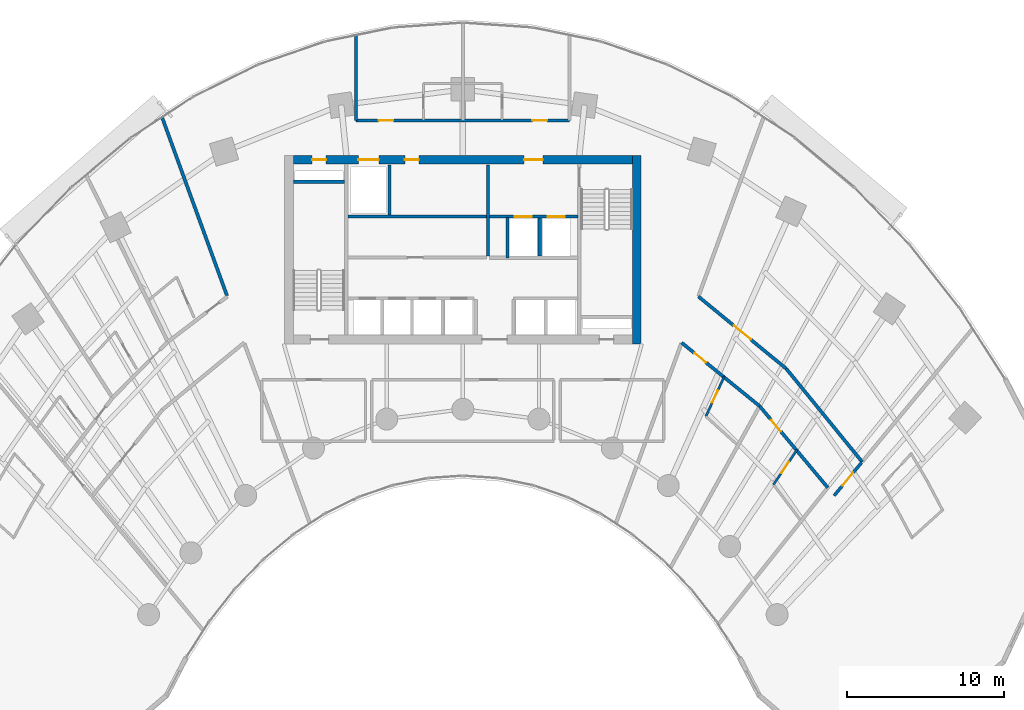
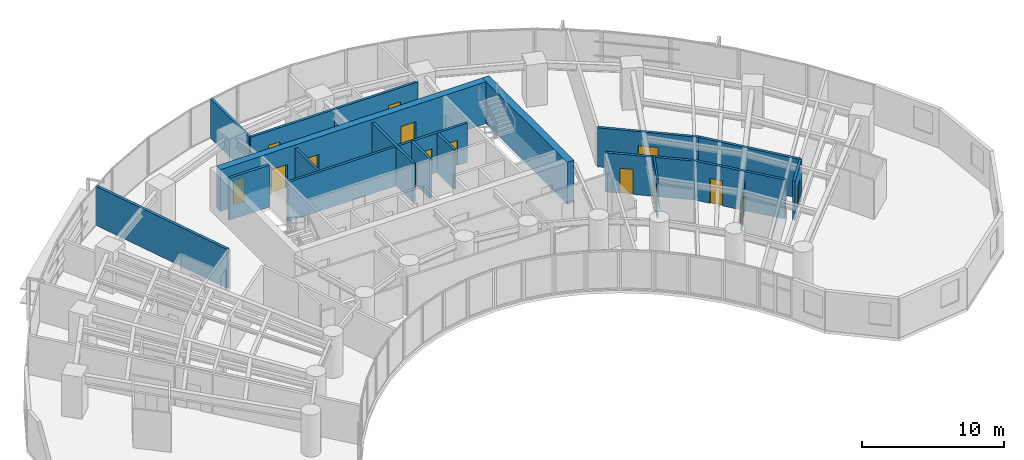
# One storey, part 13 of 17: 20 walls, 14 doors, 14 openings.
"""IFC4 building model written with IfcOpenShell, lengths in metres."""

from ifc_helpers import new_model, si_unit, direction, frame, frame_2d, origin, place, context, subcontext, project, spatial, rectangle, extrude, source, transform, mapped, material, layer, layer_set, type_object, type_shapes, element, fill, save


model = new_model("IFC4")

# Units and contexts
model_context = context("Model", 3, precision=1e-05, world=origin(), true_north=direction((0.0, 1.0)))
body_context = subcontext(model_context, "Body", "Model", "MODEL_VIEW")
ifc_project = project(units=[si_unit("LENGTHUNIT", "METRE"), si_unit("AREAUNIT", "SQUARE_METRE"), si_unit("VOLUMEUNIT", "CUBIC_METRE"), si_unit("PLANEANGLEUNIT", "RADIAN"), si_unit("MASSUNIT", "GRAM", prefix="KILO")], contexts=[model_context])

# Site, building, storey
site_placement = place(None, origin())
site = spatial("IfcSite", under=ifc_project, at=site_placement, CompositionType="ELEMENT")
building_placement = place(site_placement, origin())
building = spatial("IfcBuilding", under=site, at=building_placement, Name="Breltana Convention Tower", CompositionType="ELEMENT")
storey_placement = place(building_placement, frame((0.0, 0.0, 67.800048828125)))
storey = spatial("IfcBuildingStorey", under=building, at=storey_placement, Name="L15", CompositionType="ELEMENT", Elevation=67.800048828125)

# Wall
ifc_material_1 = material(Name="Concrete C60/75", Category="concrete")
ifc_layer_1 = layer(ifc_material_1, 0.550048828125, Name="Concrete C60/75")
ifc_layer_set_1 = layer_set([ifc_layer_1], Name="Concrete C60/75")
wall_type_1 = type_object("IfcWallType", Name="SW-CORE-550", PredefinedType="SHEAR", material=ifc_layer_set_1)
shared_shape_1 = source(origin(), body_context, "Body", "SweptSolid", [
    extrude(rectangle(XDim=12.0, YDim=0.550048828125, at=frame_2d((6.0, 0.0))), origin(), (0.0, 0.0, 1.0), 3.599853515625),
])
wall_1_placement = place(storey_placement, frame((59.074951171875, 60.199951171875, 0.0), z_axis=(0.0, 0.0, 1.0), x_axis=(0.0, 1.0, 0.0)))
element("IfcWall", 1, at=wall_1_placement, inside=storey, type_object=wall_type_1, Name="L15 East Core Shear Wall", PredefinedType="SHEAR", context=body_context, shape_type="MappedRepresentation", body=[
    mapped(shared_shape_1, transform((0.0, 0.0, 0.0), scale=1.0)),
])

# Wall, openings, doors
shared_shape_2 = source(origin(), body_context, "Body", "SweptSolid", [
    extrude(rectangle(XDim=21.60009765625, YDim=0.550048828125, at=frame_2d((10.800048828125, 0.0))), origin(), (0.0, 0.0, 1.0), 3.599853515625),
])
wall_2_placement = place(storey_placement, frame((37.199951171875, 71.925048828125, 0.0), z_axis=(0.0, 0.0, 1.0), x_axis=(1.0, 0.0, 0.0)))
wall_2 = element("IfcWall", 2, at=wall_2_placement, inside=storey, type_object=wall_type_1, Name="L15 North Core Shear Wall", PredefinedType="SHEAR", context=body_context, shape_type="MappedRepresentation", body=[
    mapped(shared_shape_2, transform((0.0, 0.0, 0.0), scale=1.0)),
])
opening_1_placement = place(wall_2_placement, frame((1.199951171875, 0.0, 0.0)))
opening_1 = element("IfcOpeningElement", 3, at=opening_1_placement, cuts=wall_2, Name="Opening D-18", PredefinedType="OPENING", context=body_context, shape_type="SweptSolid", body=[
    extrude(rectangle(XDim=0.89990234375, YDim=2.10009765625, at=frame_2d((0.449951171875, 1.050048828125))), frame((0.0, 0.28515625, 0.0), z_axis=(0.0, -1.0, 0.0), x_axis=(1.0, 0.0, 0.0)), (0.0, 0.0, 1.0), 0.570068359375),
])
opening_2_placement = place(wall_2_placement, frame((14.699951171875, 0.0, 0.0)))
opening_2 = element("IfcOpeningElement", 4, at=opening_2_placement, cuts=wall_2, Name="Opening D-09", PredefinedType="OPENING", context=body_context, shape_type="SweptSolid", body=[
    extrude(rectangle(XDim=1.199951171875, YDim=2.14990234375, at=frame_2d((0.60009765625, 1.074951171875))), frame((0.0, 0.28515625, 0.0), z_axis=(0.0, -1.0, 0.0), x_axis=(1.0, 0.0, 0.0)), (0.0, 0.0, 1.0), 0.570068359375),
])
opening_3_placement = place(wall_2_placement, frame((4.14990234375, 0.0, 0.0)))
opening_3 = element("IfcOpeningElement", 5, at=opening_3_placement, cuts=wall_2, Name="Opening LD-01", PredefinedType="OPENING", context=body_context, shape_type="SweptSolid", body=[
    extrude(rectangle(XDim=1.300048828125, YDim=2.14990234375, at=frame_2d((0.64990234375, 1.074951171875))), frame((0.0, 0.28515625, 0.0), z_axis=(0.0, -1.0, 0.0), x_axis=(1.0, 0.0, 0.0)), (0.0, 0.0, 1.0), 0.570068359375),
])
opening_4_placement = place(wall_2_placement, frame((7.10009765625, 0.0, 0.0)))
opening_4 = element("IfcOpeningElement", 6, at=opening_4_placement, cuts=wall_2, Name="Opening D-18", PredefinedType="OPENING", context=body_context, shape_type="SweptSolid", body=[
    extrude(rectangle(XDim=0.89990234375, YDim=2.10009765625, at=frame_2d((0.449951171875, 1.050048828125))), frame((0.0, 0.28515625, 0.0), z_axis=(0.0, -1.0, 0.0), x_axis=(1.0, 0.0, 0.0)), (0.0, 0.0, 1.0), 0.570068359375),
])
ifc_material_2 = material(Name="Steel Riser Fire Door", Category="steel")
door_type_1 = type_object("IfcDoorType", Name="DR-FD60-900", OperationType="NOTDEFINED", PredefinedType="DOOR", material=ifc_material_2)
shared_shape_3 = source(origin(), body_context, "Body", "SweptSolid", [
    extrude(rectangle(XDim=0.89990234375, YDim=2.10009765625, at=frame_2d((0.449951171875, 1.050048828125))), frame((0.0, 0.02490234375, 0.0), z_axis=(0.0, -1.0, 0.0), x_axis=(1.0, 0.0, 0.0)), (0.0, 0.0, 1.0), 0.050048828125),
])
type_shapes(door_type_1, [shared_shape_3])
door_1_placement = place(opening_1_placement, origin())
door_1 = element("IfcDoor", 7, at=door_1_placement, inside=storey, type_object=door_type_1, Name="L15 Core Riser Access Door D-L15-RS1", OperationType="SINGLE_SWING_LEFT", OverallHeight=2.10009765625, OverallWidth=0.89990234375, PredefinedType="DOOR", context=body_context, shape_type="MappedRepresentation", body=[
    mapped(shared_shape_3, transform((0.0, 0.0, 0.0), scale=1.0)),
])
fill(opening_1, door_1)
door_2_placement = place(opening_4_placement, origin())
door_2 = element("IfcDoor", 8, at=door_2_placement, inside=storey, type_object=door_type_1, Name="L15 interior door D-L15-CRA1", OperationType="SINGLE_SWING_LEFT", OverallHeight=2.10009765625, OverallWidth=0.89990234375, PredefinedType="DOOR", context=body_context, shape_type="MappedRepresentation", body=[
    mapped(shared_shape_3, transform((0.0, 0.0, 0.0), scale=1.0)),
])
fill(opening_4, door_2)
ifc_material_3 = material(Name="Steel Fire Lobby Door", Category="steel")
door_type_2 = type_object("IfcDoorType", Name="DR-FD120-1200", OperationType="NOTDEFINED", PredefinedType="DOOR", material=ifc_material_3)
shared_shape_4 = source(origin(), body_context, "Body", "SweptSolid", [
    extrude(rectangle(XDim=1.199951171875, YDim=2.14990234375, at=frame_2d((0.60009765625, 1.074951171875))), frame((0.0, 0.02490234375, 0.0), z_axis=(0.0, -1.0, 0.0), x_axis=(1.0, 0.0, 0.0)), (0.0, 0.0, 1.0), 0.050048828125),
])
type_shapes(door_type_2, [shared_shape_4])
door_3_placement = place(opening_2_placement, origin())
door_3 = element("IfcDoor", 9, at=door_3_placement, inside=storey, type_object=door_type_2, Name="L15 interior door D-L15-FFL-N", OperationType="SINGLE_SWING_RIGHT", OverallHeight=2.14990234375, OverallWidth=1.199951171875, PredefinedType="DOOR", context=body_context, shape_type="MappedRepresentation", body=[
    mapped(shared_shape_4, transform((0.0, 0.0, 0.0), scale=1.0)),
])
fill(opening_2, door_3)
ifc_material_4 = material(Name="Stainless Steel Brushed", Category="steel")
door_type_3 = type_object("IfcDoorType", Name="DR-LD-SRV-1300", OperationType="DOUBLE_DOOR_SLIDING", PredefinedType="DOOR", material=ifc_material_4)
shared_shape_5 = source(origin(), body_context, "Body", "SweptSolid", [
    extrude(rectangle(XDim=1.300048828125, YDim=2.14990234375, at=frame_2d((0.64990234375, 1.074951171875))), frame((0.0, 0.02490234375, 0.0), z_axis=(0.0, -1.0, 0.0), x_axis=(1.0, 0.0, 0.0)), (0.0, 0.0, 1.0), 0.050048828125),
])
type_shapes(door_type_3, [shared_shape_5])
door_4_placement = place(opening_3_placement, origin())
door_4 = element("IfcDoor", 10, at=door_4_placement, inside=storey, type_object=door_type_3, Name="L15 Lift Landing Door D-L15-LD-SV1", OperationType="DOUBLE_DOOR_SLIDING", OverallHeight=2.14990234375, OverallWidth=1.300048828125, PredefinedType="DOOR", context=body_context, shape_type="MappedRepresentation", body=[
    mapped(shared_shape_5, transform((0.0, 0.0, 0.0), scale=1.0)),
])
fill(opening_3, door_4)

# Wall
ifc_material_5 = material(Name="Concrete C50/60", Category="concrete")
ifc_layer_2 = layer(ifc_material_5, 0.39990234375, Name="Concrete C50/60")
ifc_layer_set_2 = layer_set([ifc_layer_2], Name="Concrete C50/60")
wall_type_2 = type_object("IfcWallType", Name="SW-CORE-400", PredefinedType="SHEAR", material=ifc_layer_set_2)
shared_shape_6 = source(origin(), body_context, "Body", "SweptSolid", [
    extrude(rectangle(XDim=3.27001953125, YDim=0.219970703125, at=frame_2d((1.635009765625, 0.0))), origin(), (0.0, 0.0, 1.0), 3.599853515625),
])
wall_3_placement = place(storey_placement, frame((37.199951171875, 70.510009765625, 0.0), z_axis=(0.0, 0.0, 1.0), x_axis=(1.0, 0.0, 0.0)))
element("IfcWall", 11, at=wall_3_placement, inside=storey, type_object=wall_type_2, Name="L15 ST-1 Stairwell North Bearing Wall", PredefinedType="SHEAR", context=body_context, shape_type="MappedRepresentation", body=[
    mapped(shared_shape_6, transform((0.0, 0.0, 0.0), scale=1.0)),
])

# Wall, openings, doors
ifc_material_6 = material(Name="Autoclaved Aerated Concrete Block", Category="concrete")
ifc_layer_3 = layer(ifc_material_6, 0.199951171875, Name="Autoclaved Aerated Concrete Block")
ifc_layer_set_3 = layer_set([ifc_layer_3], Name="Autoclaved Aerated Concrete Block")
wall_type_3 = type_object("IfcWallType", Name="WL-SHAFT-200", PredefinedType="SOLIDWALL", material=ifc_layer_set_3)
shared_shape_7 = source(origin(), body_context, "Body", "SweptSolid", [
    extrude(rectangle(XDim=5.6201171875, YDim=0.199951171875, at=frame_2d((2.81005859375, 0.0))), origin(), (0.0, 0.0, 1.0), 3.35986328125),
])
wall_4_placement = place(storey_placement, frame((49.699951171875, 68.300048828125, 0.0), z_axis=(0.0, 0.0, 1.0), x_axis=(1.0, 0.0, 0.0)))
wall_4 = element("IfcWall", 12, at=wall_4_placement, inside=storey, type_object=wall_type_3, Name="L15 interior partition W-L15-FFL-S", PredefinedType="SOLIDWALL", context=body_context, shape_type="MappedRepresentation", body=[
    mapped(shared_shape_7, transform((0.0, 0.0, 0.0), scale=1.0)),
])
opening_5_placement = place(wall_4_placement, frame((1.60009765625, 0.0, 0.0)))
opening_5 = element("IfcOpeningElement", 13, at=opening_5_placement, cuts=wall_4, Name="Opening LD-03", PredefinedType="OPENING", context=body_context, shape_type="SweptSolid", body=[
    extrude(rectangle(XDim=1.10009765625, YDim=2.14990234375, at=frame_2d((0.550048828125, 1.074951171875))), frame((0.0, 0.10986328125, 0.0), z_axis=(0.0, -1.0, 0.0), x_axis=(1.0, 0.0, 0.0)), (0.0, 0.0, 1.0), 0.219970703125),
])
opening_6_placement = place(wall_4_placement, frame((3.699951171875, 0.0, 0.0)))
opening_6 = element("IfcOpeningElement", 14, at=opening_6_placement, cuts=wall_4, Name="Opening LD-03", PredefinedType="OPENING", context=body_context, shape_type="SweptSolid", body=[
    extrude(rectangle(XDim=1.10009765625, YDim=2.14990234375, at=frame_2d((0.550048828125, 1.074951171875))), frame((0.0, 0.10986328125, 0.0), z_axis=(0.0, -1.0, 0.0), x_axis=(1.0, 0.0, 0.0)), (0.0, 0.0, 1.0), 0.219970703125),
])
door_type_4 = type_object("IfcDoorType", Name="DR-LD-FF-1100", OperationType="DOUBLE_DOOR_SLIDING", PredefinedType="DOOR", material=ifc_material_4)
shared_shape_8 = source(origin(), body_context, "Body", "SweptSolid", [
    extrude(rectangle(XDim=1.10009765625, YDim=2.14990234375, at=frame_2d((0.550048828125, 1.074951171875))), frame((0.0, 0.02490234375, 0.0), z_axis=(0.0, -1.0, 0.0), x_axis=(1.0, 0.0, 0.0)), (0.0, 0.0, 1.0), 0.050048828125),
])
type_shapes(door_type_4, [shared_shape_8])
door_5_placement = place(opening_5_placement, origin())
door_5 = element("IfcDoor", 15, at=door_5_placement, inside=storey, type_object=door_type_4, Name="L15 Lift Landing Door D-L15-LD-FL1", OperationType="DOUBLE_DOOR_SLIDING", OverallHeight=2.14990234375, OverallWidth=1.10009765625, PredefinedType="DOOR", context=body_context, shape_type="MappedRepresentation", body=[
    mapped(shared_shape_8, transform((0.0, 0.0, 0.0), scale=1.0)),
])
fill(opening_5, door_5)
door_6_placement = place(opening_6_placement, origin())
door_6 = element("IfcDoor", 16, at=door_6_placement, inside=storey, type_object=door_type_4, Name="L15 Lift Landing Door D-L15-LD-FL2", OperationType="DOUBLE_DOOR_SLIDING", OverallHeight=2.14990234375, OverallWidth=1.10009765625, PredefinedType="DOOR", context=body_context, shape_type="MappedRepresentation", body=[
    mapped(shared_shape_8, transform((0.0, 0.0, 0.0), scale=1.0)),
])
fill(opening_6, door_6)

# Walls
shared_shape_9 = source(origin(), body_context, "Body", "SweptSolid", [
    extrude(rectangle(XDim=5.800048828125, YDim=0.199951171875, at=frame_2d((2.89990234375, 0.0))), origin(), (0.0, 0.0, 1.0), 3.35986328125),
])
wall_5_placement = place(storey_placement, frame((49.60009765625, 65.800048828125, 0.0), z_axis=(0.0, 0.0, 1.0), x_axis=(0.0, 1.0, 0.0)))
element("IfcWall", 17, at=wall_5_placement, inside=storey, type_object=wall_type_3, Name="L15 interior partition W-L15-FFL-W", PredefinedType="SOLIDWALL", context=body_context, shape_type="MappedRepresentation", body=[
    mapped(shared_shape_9, transform((0.0, 0.0, 0.0), scale=1.0)),
])
shared_shape_10 = source(origin(), body_context, "Body", "SweptSolid", [
    extrude(rectangle(XDim=2.580078125, YDim=0.199951171875, at=frame_2d((1.2900390625, 0.0))), origin(), (0.0, 0.0, 1.0), 3.35986328125),
])
wall_6_placement = place(storey_placement, frame((50.85009765625, 65.679931640625, 0.0), z_axis=(0.0, 0.0, 1.0), x_axis=(0.0, 1.0, 0.0)))
element("IfcWall", 18, at=wall_6_placement, inside=storey, type_object=wall_type_3, Name="L15 interior partition W-L15-FL-W", PredefinedType="SOLIDWALL", context=body_context, shape_type="MappedRepresentation", body=[
    mapped(shared_shape_10, transform((0.0, 0.0, 0.0), scale=1.0)),
])
shared_shape_11 = source(origin(), body_context, "Body", "SweptSolid", [
    extrude(rectangle(XDim=2.39990234375, YDim=0.199951171875, at=frame_2d((1.199951171875, 0.0))), origin(), (0.0, 0.0, 1.0), 3.35986328125),
])
wall_7_placement = place(storey_placement, frame((52.89990234375, 65.800048828125, 0.0), z_axis=(0.0, 0.0, 1.0), x_axis=(0.0, 1.0, 0.0)))
element("IfcWall", 19, at=wall_7_placement, inside=storey, type_object=wall_type_3, Name="L15 interior partition W-L15-FL-DIV", PredefinedType="SOLIDWALL", context=body_context, shape_type="MappedRepresentation", body=[
    mapped(shared_shape_11, transform((0.0, 0.0, 0.0), scale=1.0)),
])
shared_shape_12 = source(origin(), body_context, "Body", "SweptSolid", [
    extrude(rectangle(XDim=3.2001953125, YDim=0.199951171875, at=frame_2d((1.60009765625, 0.0))), origin(), (0.0, 0.0, 1.0), 3.35986328125),
])
wall_8_placement = place(storey_placement, frame((43.320068359375, 68.39990234375, 0.0), z_axis=(0.0, 0.0, 1.0), x_axis=(0.0, 1.0, 0.0)))
element("IfcWall", 20, at=wall_8_placement, inside=storey, type_object=wall_type_3, Name="L15 interior partition W-L15-SV-E", PredefinedType="SOLIDWALL", context=body_context, shape_type="MappedRepresentation", body=[
    mapped(shared_shape_12, transform((0.0, 0.0, 0.0), scale=1.0)),
])
shared_shape_13 = source(origin(), body_context, "Body", "SweptSolid", [
    extrude(rectangle(XDim=8.800048828125, YDim=0.199951171875, at=frame_2d((4.39990234375, 0.0))), origin(), (0.0, 0.0, 1.0), 3.35986328125),
])
wall_9_placement = place(storey_placement, frame((40.699951171875, 68.300048828125, 0.0), z_axis=(0.0, 0.0, 1.0), x_axis=(1.0, 0.0, 0.0)))
element("IfcWall", 21, at=wall_9_placement, inside=storey, type_object=wall_type_3, Name="L15 interior partition W-L15-SV-S", PredefinedType="SOLIDWALL", context=body_context, shape_type="MappedRepresentation", body=[
    mapped(shared_shape_13, transform((0.0, 0.0, 0.0), scale=1.0)),
])

# Wall, opening, door
ifc_material_7 = material(Name="Gypsum Acoustic Hotel Wall")
ifc_layer_4 = layer(ifc_material_7, 0.195068359375, Name="Gypsum Acoustic Hotel Wall")
ifc_layer_set_4 = layer_set([ifc_layer_4], Name="Gypsum Acoustic Hotel Wall")
wall_type_4 = type_object("IfcWallType", Name="WL-HOTEL-200", PredefinedType="PARTITIONING", material=ifc_layer_set_4)
shared_shape_14 = source(origin(), body_context, "Body", "SweptSolid", [
    extrude(rectangle(XDim=6.800048828125, YDim=0.195068359375, at=frame_2d((3.39990234375, 0.0))), origin(), (0.0, 0.0, 1.0), 3.35986328125),
])
wall_10_placement = place(storey_placement, frame((41.199951171875, 74.419921875, 0.0), z_axis=(0.0, 0.0, 1.0), x_axis=(1.0, 0.0, 0.0)))
wall_10 = element("IfcWall", 22, at=wall_10_placement, inside=storey, type_object=wall_type_4, Name="L15 interior partition W-L15-GRN1-S", PredefinedType="PARTITIONING", context=body_context, shape_type="MappedRepresentation", body=[
    mapped(shared_shape_14, transform((0.0, 0.0, 0.0), scale=1.0)),
])
opening_7_placement = place(wall_10_placement, frame((1.428955078125, 0.0, 0.0)))
opening_7 = element("IfcOpeningElement", 23, at=opening_7_placement, cuts=wall_10, Name="Opening D-14", PredefinedType="OPENING", context=body_context, shape_type="SweptSolid", body=[
    extrude(rectangle(XDim=0.949951171875, YDim=2.14990234375, at=frame_2d((0.47509765625, 1.074951171875))), frame((0.0, 0.107421875, 0.0), z_axis=(0.0, -1.0, 0.0), x_axis=(1.0, 0.0, 0.0)), (0.0, 0.0, 1.0), 0.215087890625),
])
ifc_material_8 = material(Name="Timber Solid-Core Fire Door", Category="wood")
door_type_5 = type_object("IfcDoorType", Name="DR-FD60-950", OperationType="NOTDEFINED", PredefinedType="DOOR", material=ifc_material_8)
shared_shape_15 = source(origin(), body_context, "Body", "SweptSolid", [
    extrude(rectangle(XDim=0.949951171875, YDim=2.14990234375, at=frame_2d((0.47509765625, 1.074951171875))), frame((0.0, 0.02490234375, 0.0), z_axis=(0.0, -1.0, 0.0), x_axis=(1.0, 0.0, 0.0)), (0.0, 0.0, 1.0), 0.050048828125),
])
type_shapes(door_type_5, [shared_shape_15])
door_7_placement = place(opening_7_placement, origin())
door_7 = element("IfcDoor", 24, at=door_7_placement, inside=storey, type_object=door_type_5, Name="L15 interior door D-L15-GRN1", OperationType="SINGLE_SWING_RIGHT", OverallHeight=2.14990234375, OverallWidth=0.949951171875, PredefinedType="DOOR", context=body_context, shape_type="MappedRepresentation", body=[
    mapped(shared_shape_15, transform((0.0, 0.0, 0.0), scale=1.0)),
])
fill(opening_7, door_7)

wall_11_placement = place(storey_placement, frame((48.0, 74.419921875, 0.0), z_axis=(0.0, 0.0, 1.0), x_axis=(1.0, 0.0, 0.0)))
wall_11 = element("IfcWall", 25, at=wall_11_placement, inside=storey, type_object=wall_type_4, Name="L15 interior partition W-L15-GRN2-S", PredefinedType="PARTITIONING", context=body_context, shape_type="MappedRepresentation", body=[
    mapped(shared_shape_14, transform((0.0, 0.0, 0.0), scale=1.0)),
])
opening_8_placement = place(wall_11_placement, frame((4.4208984375, 0.0, 0.0)))
opening_8 = element("IfcOpeningElement", 26, at=opening_8_placement, cuts=wall_11, Name="Opening D-14", PredefinedType="OPENING", context=body_context, shape_type="SweptSolid", body=[
    extrude(rectangle(XDim=0.949951171875, YDim=2.14990234375, at=frame_2d((0.47509765625, 1.074951171875))), frame((0.0, 0.107421875, 0.0), z_axis=(0.0, -1.0, 0.0), x_axis=(1.0, 0.0, 0.0)), (0.0, 0.0, 1.0), 0.215087890625),
])
door_8_placement = place(opening_8_placement, origin())
door_8 = element("IfcDoor", 27, at=door_8_placement, inside=storey, type_object=door_type_5, Name="L15 interior door D-L15-GRN2", OperationType="SINGLE_SWING_RIGHT", OverallHeight=2.14990234375, OverallWidth=0.949951171875, PredefinedType="DOOR", context=body_context, shape_type="MappedRepresentation", body=[
    mapped(shared_shape_15, transform((0.0, 0.0, 0.0), scale=1.0)),
])
fill(opening_8, door_8)

# Wall
shared_shape_16 = source(origin(), body_context, "Body", "SweptSolid", [
    extrude(rectangle(XDim=5.42626953125, YDim=0.195068359375, at=frame_2d((2.713134765625, 0.0))), origin(), (0.0, 0.0, 1.0), 3.35986328125),
])
wall_12_placement = place(storey_placement, frame((41.199951171875, 74.419921875, 0.0), z_axis=(0.0, 0.0, 1.0), x_axis=(0.0, 1.0, 0.0)))
element("IfcWall", 28, at=wall_12_placement, inside=storey, type_object=wall_type_4, Name="L15 interior partition W-L15-GRN1-SD", PredefinedType="PARTITIONING", context=body_context, shape_type="MappedRepresentation", body=[
    mapped(shared_shape_16, transform((0.0, 0.0, 0.0), scale=1.0)),
])

# Wall, opening, door
shared_shape_17 = source(origin(), body_context, "Body", "SweptSolid", [
    extrude(rectangle(XDim=2.748291015625, YDim=0.195068359375, at=frame_2d((1.3740234375, 0.0))), origin(), (0.0, 0.0, 1.0), 3.35986328125),
])
wall_13_placement = place(storey_placement, frame((71.64697265625, 50.531005859375, 0.0), z_axis=(0.0, 0.0, 1.0), x_axis=(0.638111168284, 0.769944242729, 0.0)))
wall_13 = element("IfcWall", 29, at=wall_13_placement, inside=storey, type_object=wall_type_4, Name="L15 interior partition W-L15-CS-E-END", PredefinedType="PARTITIONING", context=body_context, shape_type="MappedRepresentation", body=[
    mapped(shared_shape_17, transform((0.0, 0.0, 0.0), scale=1.0)),
])
opening_9_placement = place(wall_13_placement, frame((0.84912109375, 0.0, 0.0)))
opening_9 = element("IfcOpeningElement", 30, at=opening_9_placement, cuts=wall_13, Name="Opening D-13", PredefinedType="OPENING", context=body_context, shape_type="SweptSolid", body=[
    extrude(rectangle(XDim=1.050048828125, YDim=2.14990234375, at=frame_2d((0.52490234375, 1.074951171875))), frame((0.0, 0.107421875, 0.0), z_axis=(0.0, -1.0, 0.0), x_axis=(1.0, 0.0, 0.0)), (0.0, 0.0, 1.0), 0.215087890625),
])
door_type_6 = type_object("IfcDoorType", Name="DR-FD60-1050", OperationType="NOTDEFINED", PredefinedType="DOOR", material=ifc_material_8)
shared_shape_18 = source(origin(), body_context, "Body", "SweptSolid", [
    extrude(rectangle(XDim=1.050048828125, YDim=2.14990234375, at=frame_2d((0.52490234375, 1.074951171875))), frame((0.0, 0.02490234375, 0.0), z_axis=(0.0, -1.0, 0.0), x_axis=(1.0, 0.0, 0.0)), (0.0, 0.0, 1.0), 0.050048828125),
])
type_shapes(door_type_6, [shared_shape_18])
door_9_placement = place(opening_9_placement, origin())
door_9 = element("IfcDoor", 31, at=door_9_placement, inside=storey, type_object=door_type_6, Name="L15 interior door D-L15-CS-E", OperationType="SINGLE_SWING_RIGHT", OverallHeight=2.14990234375, OverallWidth=1.050048828125, PredefinedType="DOOR", context=body_context, shape_type="MappedRepresentation", body=[
    mapped(shared_shape_18, transform((0.0, 0.0, 0.0), scale=1.0)),
])
fill(opening_9, door_9)

ifc_material_9 = material(Name="Autoclaved Aerated Masonry Blockwork", Category="masonry")
ifc_layer_5 = layer(ifc_material_9, 0.2099609375, Name="Autoclaved Aerated Masonry Blockwork")
ifc_layer_set_5 = layer_set([ifc_layer_5], Name="Autoclaved Aerated Masonry Blockwork")
wall_type_5 = type_object("IfcWallType", Name="WL-PART-200", PredefinedType="PARTITIONING", material=ifc_layer_set_5)
shared_shape_19 = source(origin(), body_context, "Body", "SweptSolid", [
    extrude(rectangle(XDim=7.23681640625, YDim=0.2099609375, at=frame_2d((3.618408203125, 0.0))), origin(), (0.0, 0.0, 1.0), 3.35986328125),
])
wall_14_placement = place(storey_placement, frame((63.001220703125, 63.214111328125, 0.0), z_axis=(0.0, 0.0, 1.0), x_axis=(0.772813707793, -0.634632943557, 0.0)))
wall_14 = element("IfcWall", 32, at=wall_14_placement, inside=storey, type_object=wall_type_5, Name="L15 interior partition W-L15-H3OE-COR1", PredefinedType="PARTITIONING", context=body_context, shape_type="MappedRepresentation", body=[
    mapped(shared_shape_19, transform((0.0, 0.0, 0.0), scale=1.0)),
])
opening_10_placement = place(wall_14_placement, frame((2.91845703125, 0.0, 0.0)))
opening_10 = element("IfcOpeningElement", 33, at=opening_10_placement, cuts=wall_14, Name="Opening D-05", PredefinedType="OPENING", context=body_context, shape_type="SweptSolid", body=[
    extrude(rectangle(XDim=1.39990234375, YDim=2.14990234375, at=frame_2d((0.699951171875, 1.074951171875))), frame((0.0, 0.114990234375, 0.0), z_axis=(0.0, -1.0, 0.0), x_axis=(1.0, 0.0, 0.0)), (0.0, 0.0, 1.0), 0.22998046875),
])
ifc_material_10 = material(Name="Timber Veneer Glazed Double Door", Category="wood")
door_type_7 = type_object("IfcDoorType", Name="DR-DBL-1400", OperationType="DOUBLE_DOOR_SINGLE_SWING", PredefinedType="DOOR", material=ifc_material_10)
shared_shape_20 = source(origin(), body_context, "Body", "SweptSolid", [
    extrude(rectangle(XDim=1.39990234375, YDim=2.14990234375, at=frame_2d((0.699951171875, 1.074951171875))), frame((0.0, 0.02490234375, 0.0), z_axis=(0.0, -1.0, 0.0), x_axis=(1.0, 0.0, 0.0)), (0.0, 0.0, 1.0), 0.050048828125),
])
type_shapes(door_type_7, [shared_shape_20])
door_10_placement = place(opening_10_placement, origin())
door_10 = element("IfcDoor", 34, at=door_10_placement, inside=storey, type_object=door_type_7, Name="L15 interior door D-L15-H3OE", OperationType="SINGLE_SWING_LEFT", OverallHeight=2.14990234375, OverallWidth=1.39990234375, PredefinedType="DOOR", context=body_context, shape_type="MappedRepresentation", body=[
    mapped(shared_shape_20, transform((0.0, 0.0, 0.0), scale=1.0)),
])
fill(opening_10, door_10)

# Walls
shared_shape_21 = source(origin(), body_context, "Body", "SweptSolid", [
    extrude(rectangle(XDim=7.65869140625, YDim=0.2099609375, at=frame_2d((3.829345703125, 0.0))), origin(), (0.0, 0.0, 1.0), 3.35986328125),
])
wall_15_placement = place(storey_placement, frame((68.593994140625, 58.621337890625, 0.0), z_axis=(0.0, 0.0, 1.0), x_axis=(0.631489868862, -0.775384127723, 0.0)))
element("IfcWall", 35, at=wall_15_placement, inside=storey, type_object=wall_type_5, Name="L15 interior partition W-L15-H3OE-COR2", PredefinedType="PARTITIONING", context=body_context, shape_type="MappedRepresentation", body=[
    mapped(shared_shape_21, transform((0.0, 0.0, 0.0), scale=1.0)),
])
shared_shape_22 = source(origin(), body_context, "Body", "SweptSolid", [
    extrude(rectangle(XDim=12.088134765625, YDim=0.2099609375, at=frame_2d((6.0439453125, 0.0))), origin(), (0.0, 0.0, 1.0), 3.35986328125),
])
wall_16_placement = place(storey_placement, frame((32.9814453125, 63.26220703125, 0.0), z_axis=(0.0, 0.0, 1.0), x_axis=(-0.34203007529, 0.939689005787, 0.0)))
element("IfcWall", 36, at=wall_16_placement, inside=storey, type_object=wall_type_5, Name="L15 interior partition W-L15-ST03-RB", PredefinedType="PARTITIONING", context=body_context, shape_type="MappedRepresentation", body=[
    mapped(shared_shape_22, transform((0.0, 0.0, 0.0), scale=1.0)),
])

# Wall, opening, door
shared_shape_23 = source(origin(), body_context, "Body", "SweptSolid", [
    extrude(rectangle(XDim=6.408447265625, YDim=0.2099609375, at=frame_2d((3.2041015625, 0.0))), origin(), (0.0, 0.0, 1.0), 3.35986328125),
])
wall_17_placement = place(storey_placement, frame((61.931396484375, 60.275390625, 0.0), z_axis=(0.0, 0.0, 1.0), x_axis=(0.775878552904, -0.630882295792, 0.0)))
wall_17 = element("IfcWall", 37, at=wall_17_placement, inside=storey, type_object=wall_type_5, Name="L15 interior partition W-L15-ST04-COR", PredefinedType="PARTITIONING", context=body_context, shape_type="MappedRepresentation", body=[
    mapped(shared_shape_23, transform((0.0, 0.0, 0.0), scale=1.0)),
])
opening_11_placement = place(wall_17_placement, frame((1.06298828125, 0.0, 0.0)))
opening_11 = element("IfcOpeningElement", 38, at=opening_11_placement, cuts=wall_17, Name="Opening D-14", PredefinedType="OPENING", context=body_context, shape_type="SweptSolid", body=[
    extrude(rectangle(XDim=0.949951171875, YDim=2.14990234375, at=frame_2d((0.47509765625, 1.074951171875))), frame((0.0, 0.114990234375, 0.0), z_axis=(0.0, -1.0, 0.0), x_axis=(1.0, 0.0, 0.0)), (0.0, 0.0, 1.0), 0.22998046875),
])
door_11_placement = place(opening_11_placement, origin())
door_11 = element("IfcDoor", 39, at=door_11_placement, inside=storey, type_object=door_type_5, Name="L15 interior door D-L15-ST04", OperationType="SINGLE_SWING_RIGHT", OverallHeight=2.14990234375, OverallWidth=0.949951171875, PredefinedType="DOOR", context=body_context, shape_type="MappedRepresentation", body=[
    mapped(shared_shape_15, transform((0.0, 0.0, 0.0), scale=1.0)),
])
fill(opening_11, door_11)

ifc_material_11 = material(Name="Moisture-Resistant En-Suite Partition")
ifc_layer_6 = layer(ifc_material_11, 0.139892578125, Name="Moisture-Resistant En-Suite Partition")
ifc_layer_set_6 = layer_set([ifc_layer_6], Name="Moisture-Resistant En-Suite Partition")
wall_type_6 = type_object("IfcWallType", Name="WL-WET-150", PredefinedType="PARTITIONING", material=ifc_layer_set_6)
shared_shape_24 = source(origin(), body_context, "Body", "SweptSolid", [
    extrude(rectangle(XDim=2.79931640625, YDim=0.139892578125, at=frame_2d((1.399658203125, 0.0))), origin(), (0.0, 0.0, 1.0), 3.35986328125),
])
wall_18_placement = place(storey_placement, frame((63.47509765625, 55.57568359375, 0.0), z_axis=(0.0, 0.0, 1.0), x_axis=(0.418626740412, 0.908158384981, 0.0)))
wall_18 = element("IfcWall", 40, at=wall_18_placement, inside=storey, type_object=wall_type_6, Name="L15 interior partition W-L15-ST04E-SD", PredefinedType="PARTITIONING", context=body_context, shape_type="MappedRepresentation", body=[
    mapped(shared_shape_24, transform((0.0, 0.0, 0.0), scale=1.0)),
])
opening_12_placement = place(wall_18_placement, frame((0.974609375, 0.0, 0.0)))
opening_12 = element("IfcOpeningElement", 41, at=opening_12_placement, cuts=wall_18, Name="Opening D-21", PredefinedType="OPENING", context=body_context, shape_type="SweptSolid", body=[
    extrude(rectangle(XDim=0.85009765625, YDim=2.050048828125, at=frame_2d((0.425048828125, 1.02490234375))), frame((0.0, 0.080078125, 0.0), z_axis=(0.0, -1.0, 0.0), x_axis=(1.0, 0.0, 0.0)), (0.0, 0.0, 1.0), 0.159912109375),
])
ifc_material_12 = material(Name="Timber Moisture-Resistant En-Suite Door", Category="wood")
door_type_8 = type_object("IfcDoorType", Name="DR-WET-850", OperationType="NOTDEFINED", PredefinedType="DOOR", material=ifc_material_12)
shared_shape_25 = source(origin(), body_context, "Body", "SweptSolid", [
    extrude(rectangle(XDim=0.85009765625, YDim=2.050048828125, at=frame_2d((0.425048828125, 1.02490234375))), frame((0.0, 0.02490234375, 0.0), z_axis=(0.0, -1.0, 0.0), x_axis=(1.0, 0.0, 0.0)), (0.0, 0.0, 1.0), 0.050048828125),
])
type_shapes(door_type_8, [shared_shape_25])
door_12_placement = place(opening_12_placement, origin())
door_12 = element("IfcDoor", 42, at=door_12_placement, inside=storey, type_object=door_type_8, Name="L15 interior door D-L15-ST04E", OperationType="SINGLE_SWING_LEFT", OverallHeight=2.050048828125, OverallWidth=0.85009765625, PredefinedType="DOOR", context=body_context, shape_type="MappedRepresentation", body=[
    mapped(shared_shape_25, transform((0.0, 0.0, 0.0), scale=1.0)),
])
fill(opening_12, door_12)

shared_shape_26 = source(origin(), body_context, "Body", "SweptSolid", [
    extrude(rectangle(XDim=6.764404296875, YDim=0.2099609375, at=frame_2d((3.38232421875, 0.0))), origin(), (0.0, 0.0, 1.0), 3.35986328125),
])
wall_19_placement = place(storey_placement, frame((66.903564453125, 56.232421875, 0.0), z_axis=(0.0, 0.0, 1.0), x_axis=(0.641433176235, -0.767178910311, 0.0)))
wall_19 = element("IfcWall", 43, at=wall_19_placement, inside=storey, type_object=wall_type_5, Name="L15 interior partition W-L15-ST05-COR", PredefinedType="PARTITIONING", context=body_context, shape_type="MappedRepresentation", body=[
    mapped(shared_shape_26, transform((0.0, 0.0, 0.0), scale=1.0)),
])
opening_13_placement = place(wall_19_placement, frame((1.1484375, 0.0, 0.0)))
opening_13 = element("IfcOpeningElement", 44, at=opening_13_placement, cuts=wall_19, Name="Opening D-14", PredefinedType="OPENING", context=body_context, shape_type="SweptSolid", body=[
    extrude(rectangle(XDim=0.949951171875, YDim=2.14990234375, at=frame_2d((0.47509765625, 1.074951171875))), frame((0.0, 0.114990234375, 0.0), z_axis=(0.0, -1.0, 0.0), x_axis=(1.0, 0.0, 0.0)), (0.0, 0.0, 1.0), 0.22998046875),
])
door_13_placement = place(opening_13_placement, origin())
door_13 = element("IfcDoor", 45, at=door_13_placement, inside=storey, type_object=door_type_5, Name="L15 interior door D-L15-ST05", OperationType="SINGLE_SWING_RIGHT", OverallHeight=2.14990234375, OverallWidth=0.949951171875, PredefinedType="DOOR", context=body_context, shape_type="MappedRepresentation", body=[
    mapped(shared_shape_15, transform((0.0, 0.0, 0.0), scale=1.0)),
])
fill(opening_13, door_13)

shared_shape_27 = source(origin(), body_context, "Body", "SweptSolid", [
    extrude(rectangle(XDim=2.6728515625, YDim=0.139892578125, at=frame_2d((1.33642578125, 0.0))), origin(), (0.0, 0.0, 1.0), 2.64404296875),
])
wall_20_placement = place(storey_placement, frame((67.7822265625, 51.234375, 0.0), z_axis=(0.0, 0.0, 1.0), x_axis=(0.560399679065, 0.828222312972, 0.0)))
wall_20 = element("IfcWall", 46, at=wall_20_placement, inside=storey, type_object=wall_type_6, Name="L15 interior partition W-L15-ST05E-SD", PredefinedType="PARTITIONING", context=body_context, shape_type="MappedRepresentation", body=[
    mapped(shared_shape_27, transform((0.0, 0.0, 0.0), scale=1.0)),
])
opening_14_placement = place(wall_20_placement, frame((0.911376953125, 0.0, 0.0)))
opening_14 = element("IfcOpeningElement", 47, at=opening_14_placement, cuts=wall_20, Name="Opening D-21", PredefinedType="OPENING", context=body_context, shape_type="SweptSolid", body=[
    extrude(rectangle(XDim=0.85009765625, YDim=2.050048828125, at=frame_2d((0.425048828125, 1.02490234375))), frame((0.0, 0.080078125, 0.0), z_axis=(0.0, -1.0, 0.0), x_axis=(1.0, 0.0, 0.0)), (0.0, 0.0, 1.0), 0.159912109375),
])
door_14_placement = place(opening_14_placement, origin())
door_14 = element("IfcDoor", 48, at=door_14_placement, inside=storey, type_object=door_type_8, Name="L15 interior door D-L15-ST05E", OperationType="SINGLE_SWING_LEFT", OverallHeight=2.050048828125, OverallWidth=0.85009765625, PredefinedType="DOOR", context=body_context, shape_type="MappedRepresentation", body=[
    mapped(shared_shape_25, transform((0.0, 0.0, 0.0), scale=1.0)),
])
fill(opening_14, door_14)

save(model, "model.ifc")
